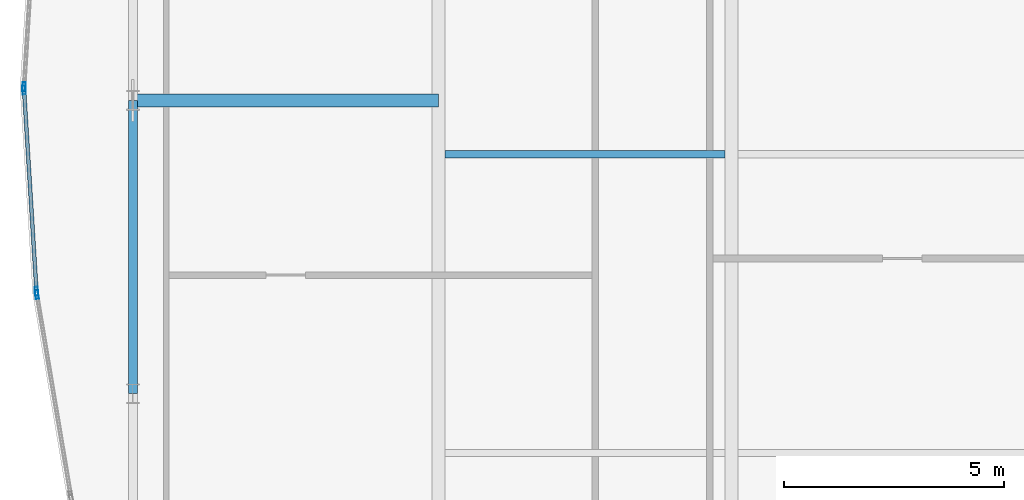
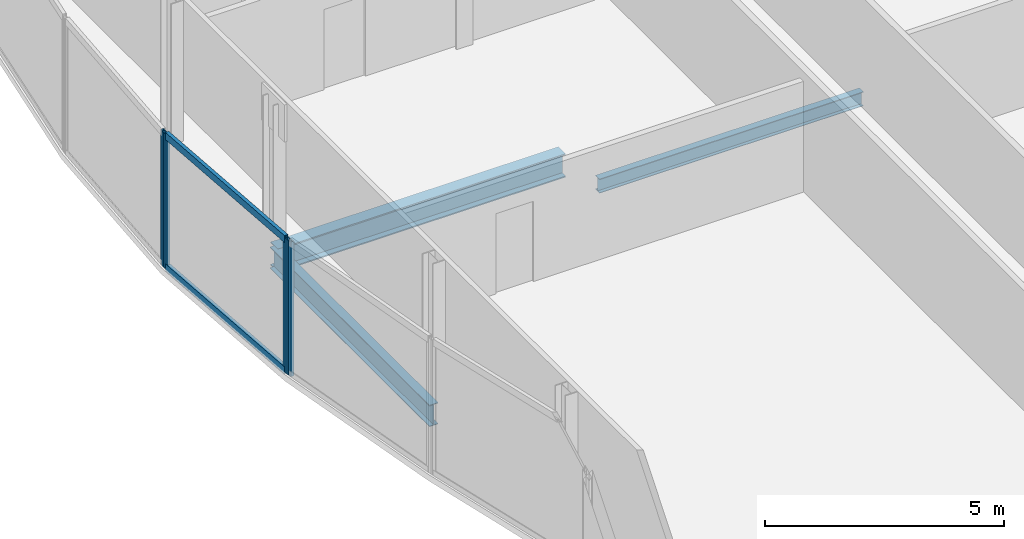
# One storey, part 11 of 29: 6 members, 3 beams, 3 elements without a shape of their own.
"""IFC4 building model written with IfcOpenShell, lengths in metres."""

import ifcopenshell
import ifcopenshell.guid

model = None  # the IFC model being written
_history = None  # IfcOwnerHistory: only IFC2X3 demands one
_inside = {}  # id of a spatial element -> (the spatial element, [elements in it])
_under = {}  # id of a project, library or spatial element -> (it, [spatial elements below it])
_declared = {}  # id of a project -> (the project, [libraries it declares])
_typed = {}  # id of a type object -> (the type object, [elements of that type])
_made_of = {}  # id of a material, layer set ... -> (it, [elements and type objects made of it])


def new_model(schema):
    """Start an empty IFC model of exactly this schema.

    Asked for "IFC4X3", IfcOpenShell would pick the latest addendum, in which some entities
    have other attributes; the version numbers below select the first issue.
    IFC2X3 requires an IfcOwnerHistory on every rooted entity: one is made here for all.
    """
    global model, _history
    if schema == "IFC4X3":
        model = ifcopenshell.file(schema_version=(4, 3, 0, 0))
    else:
        model = ifcopenshell.file(schema=schema)
    _inside.clear()
    _under.clear()
    _declared.clear()
    _typed.clear()
    _made_of.clear()
    _history = None
    if model.schema == "IFC2X3":
        org = make("IfcOrganization", Name="unknown")
        user = make(
            "IfcPersonAndOrganization",
            ThePerson=make("IfcPerson", FamilyName="unknown"),
            TheOrganization=org,
        )
        app = make(
            "IfcApplication",
            ApplicationDeveloper=org,
            Version="unknown",
            ApplicationFullName="unknown",
            ApplicationIdentifier="unknown",
        )
        _history = make(
            "IfcOwnerHistory",
            OwningUser=user,
            OwningApplication=app,
            ChangeAction="ADDED",
            CreationDate=0,
        )
    return model


def make(cls, **values):
    """One entity of the class cls with the attributes given. An attribute that is None is left unset."""
    return model.create_entity(
        cls, **{name: value for name, value in values.items() if value is not None}
    )


def rooted(cls, **values):
    """An entity with a GlobalId (a new one), such as an element, a storey or a relation."""
    return make(cls, GlobalId=ifcopenshell.guid.new(), OwnerHistory=_history, **values)


def si_unit(unit_type, name, prefix=None):
    """IfcSIUnit, for example si_unit("LENGTHUNIT", "METRE", prefix="MILLI")."""
    return make("IfcSIUnit", UnitType=unit_type, Prefix=prefix, Name=name)


def assignment(units):
    """IfcUnitAssignment: the units of a project."""
    return None if units is None else make("IfcUnitAssignment", Units=units)


def point(xyz):
    """IfcCartesianPoint."""
    return None if xyz is None else make("IfcCartesianPoint", Coordinates=xyz)


def direction(xyz):
    """IfcDirection."""
    return None if xyz is None else make("IfcDirection", DirectionRatios=xyz)


def frame(location, z_axis=None, x_axis=None):
    """IfcAxis2Placement3D, a coordinate frame: its origin and axes. An axis left out is left unset."""
    return make(
        "IfcAxis2Placement3D",
        Location=point(location),
        Axis=direction(z_axis),
        RefDirection=direction(x_axis),
    )


def frame_2d(location, x_axis=None):
    """IfcAxis2Placement2D, a coordinate frame in the plane: its origin and x axis."""
    return make(
        "IfcAxis2Placement2D", Location=point(location), RefDirection=direction(x_axis)
    )


def origin():
    """The frame at (0, 0, 0) with its axes left unset."""
    return frame((0.0, 0.0, 0.0))


def origin_2d():
    """The frame at (0, 0) in the plane with its x axis left unset."""
    return frame_2d((0.0, 0.0))


def place(relative_to, where):
    """IfcLocalPlacement: puts the frame where relative to a parent placement (None: the world)."""
    return make(
        "IfcLocalPlacement", PlacementRelTo=relative_to, RelativePlacement=where
    )


def context(
    kind, dimensions, precision=None, world=None, true_north=None, identifier=None
):
    """IfcGeometricRepresentationContext, for example the 3D "Model" context."""
    return make(
        "IfcGeometricRepresentationContext",
        ContextIdentifier=identifier,
        ContextType=kind,
        CoordinateSpaceDimension=dimensions,
        Precision=precision,
        WorldCoordinateSystem=world,
        TrueNorth=true_north,
    )


def subcontext(parent, identifier, kind, view, scale=None):
    """IfcGeometricRepresentationSubContext, for example "Body" below "Model"."""
    return make(
        "IfcGeometricRepresentationSubContext",
        ContextIdentifier=identifier,
        ContextType=kind,
        ParentContext=parent,
        TargetScale=scale,
        TargetView=view,
    )


def project(units=None, contexts=None):
    """IfcProject with its units and contexts."""
    return rooted(
        "IfcProject",
        Name="project",
        RepresentationContexts=contexts,
        UnitsInContext=assignment(units),
    )


def spatial(cls, under=None, at=None, **own):
    """A site, building, storey or space (cls), placed at a placement, below another one or the project."""
    s = rooted(cls, ObjectPlacement=at, **own)
    if under is not None:
        _under.setdefault(under.id(), (under, []))[1].append(s)
    return s


def profile(cls, at=None, kind="AREA", **sizes):
    """A parametric profile (cls). Its sizes go by their IFC names, for example OverallWidth=200.0."""
    return make(cls, ProfileType=kind, Position=at, **sizes)


def hollow_rectangle(**sizes):
    """IfcRectangleHollowProfileDef."""
    return profile("IfcRectangleHollowProfileDef", **sizes)


def i_section(**sizes):
    """IfcIShapeProfileDef."""
    return profile("IfcIShapeProfileDef", **sizes)


def extrude(swept, where, along, depth):
    """IfcExtrudedAreaSolid: the profile swept, set in the frame where, extruded along a direction by depth."""
    return make(
        "IfcExtrudedAreaSolid",
        SweptArea=swept,
        Position=where,
        ExtrudedDirection=direction(along),
        Depth=depth,
    )


def shape(context_of_items, identifier, shape_type, items):
    """IfcShapeRepresentation: the items that make up one representation, for example the "Body"."""
    return make(
        "IfcShapeRepresentation",
        ContextOfItems=context_of_items,
        RepresentationIdentifier=identifier,
        RepresentationType=shape_type,
        Items=items,
    )


def material(Name=None, Category=None):
    """IfcMaterial."""
    return make("IfcMaterial", Name=Name, Category=Category)


def material_profile(
    of_material, cross_section, Name=None, Category=None, Priority=None
):
    """IfcMaterialProfile: a cross section and its material."""
    return make(
        "IfcMaterialProfile",
        Name=Name,
        Material=of_material,
        Profile=cross_section,
        Priority=Priority,
        Category=Category,
    )


def profile_set(profiles, Name=None, composite=None):
    """IfcMaterialProfileSet."""
    return make(
        "IfcMaterialProfileSet",
        Name=Name,
        MaterialProfiles=profiles,
        CompositeProfile=composite,
    )


def made_of(thing, what):
    """Note that an element or type object is made of a material, layer set ...; save() writes the relation."""
    if what is not None:
        _made_of.setdefault(what.id(), (what, []))[1].append(thing)
    return thing


def type_object(cls, material=None, **own):
    """A type object (cls), such as IfcWallType, which elements share."""
    return made_of(rooted(cls, **own), material)


def element(
    cls,
    number,
    at=None,
    inside=None,
    cuts=None,
    type_object=None,
    material=None,
    context=None,
    identifier="Body",
    shape_type=None,
    held_by="IfcProductDefinitionShape",
    body=None,
    shapes=None,
    **own,
):
    """One element of the class cls, such as IfcWall. Its Tag is "e" and its number.

    at: its placement. inside: the storey or other place that contains it. cuts: it is an
    opening in that element (IfcRelVoidsElement). A single representation is given by context,
    identifier, shape_type and body (its items); several are given by shapes. held_by: the class
    of the entity that holds the representations. save() writes the other relations.
    """
    e = rooted(cls, Tag="e%d" % number, ObjectPlacement=at, **own)
    if body is not None:
        shapes = [shape(context, identifier, shape_type, body)]
    if shapes is not None:
        e.Representation = make(held_by, Representations=shapes)
    if inside is not None:
        _inside.setdefault(inside.id(), (inside, []))[1].append(e)
    if cuts is not None:
        rooted(
            "IfcRelVoidsElement", RelatingBuildingElement=cuts, RelatedOpeningElement=e
        )
    if type_object is not None:
        _typed.setdefault(type_object.id(), (type_object, []))[1].append(e)
    return made_of(e, material)


def aggregate(whole, parts):
    """IfcRelAggregates: a whole, such as a stair, and the parts it consists of."""
    return rooted("IfcRelAggregates", RelatingObject=whole, RelatedObjects=parts)


def save(model, path):
    """Write the relations noted so far, then the file.

    IfcRelAggregates (storeys below a building ...), IfcRelContainedInSpatialStructure (elements
    in a storey), IfcRelDefinesByType, IfcRelAssociatesMaterial and IfcRelDeclares: one each for
    every whole, place, type object, material and project.
    """
    for whole, parts in _under.values():
        aggregate(whole, parts)
    for where, things in _inside.values():
        rooted(
            "IfcRelContainedInSpatialStructure",
            RelatedElements=things,
            RelatingStructure=where,
        )
    for kind, things in _typed.values():
        rooted("IfcRelDefinesByType", RelatedObjects=things, RelatingType=kind)
    for what, things in _made_of.values():
        rooted("IfcRelAssociatesMaterial", RelatedObjects=things, RelatingMaterial=what)
    for by, libraries in _declared.values():
        rooted("IfcRelDeclares", RelatingContext=by, RelatedDefinitions=libraries)
    model.write(path)


model = new_model("IFC4")

# Units and contexts
model_context = context("Model", 3, precision=1e-05, world=origin(), true_north=direction((0.0, 1.0)))
body_context = subcontext(model_context, "Body", "Model", "MODEL_VIEW")
ifc_project = project(units=[si_unit("LENGTHUNIT", "METRE"), si_unit("AREAUNIT", "SQUARE_METRE"), si_unit("VOLUMEUNIT", "CUBIC_METRE"), si_unit("PLANEANGLEUNIT", "RADIAN"), si_unit("MASSUNIT", "GRAM", prefix="KILO")], contexts=[model_context])

# Site, building, storey
site_placement = place(None, origin())
site = spatial("IfcSite", under=ifc_project, at=site_placement, CompositionType="ELEMENT")
building_placement = place(site_placement, origin())
building = spatial("IfcBuilding", under=site, at=building_placement, Name="Khoronbel Lancet Exchange", CompositionType="ELEMENT")
storey_placement = place(building_placement, frame((0.0, 0.0, 321.800048828125)))
storey = spatial("IfcBuildingStorey", under=building, at=storey_placement, Name="L83", CompositionType="ELEMENT", Elevation=321.800048828125)

# Beams
ifc_material_1 = material(Name="Steel S355", Category="steel")
ifc_material_profile_1 = material_profile(ifc_material_1, i_section(OverallWidth=0.300048828125, OverallDepth=0.60009765625, WebThickness=0.015380859375, FlangeThickness=0.030029296875, at=origin_2d()), Name="HEB 600")
ifc_profile_set_1 = profile_set([ifc_material_profile_1], Name="Steel S355")
beam_type_1 = type_object("IfcBeamType", Name="BM-BG5", PredefinedType="BEAM", material=ifc_profile_set_1)
beam_1_placement = place(storey_placement, frame((11.27001953125, 31.425048828125, -0.4599609375), z_axis=(1.0, 0.0, 0.0), x_axis=(0.0, 1.0, 0.0)))
element("IfcBeam", 1, at=beam_1_placement, inside=storey, type_object=beam_type_1, Name="Level L83 west lens tie girder LG2W", PredefinedType="BEAM", context=body_context, shape_type="SweptSolid", body=[
    extrude(i_section(OverallWidth=0.300048828125, OverallDepth=0.60009765625, WebThickness=0.015380859375, FlangeThickness=0.030029296875, at=origin_2d()), origin(), (0.0, 0.0, 1.0), 6.955078125),
])
ifc_material_profile_2 = material_profile(ifc_material_1, i_section(OverallWidth=0.169921875, OverallDepth=0.360107421875, WebThickness=0.008056640625, FlangeThickness=0.0126953125, at=origin_2d()), Name="IPE 360")
ifc_profile_set_2 = profile_set([ifc_material_profile_2], Name="Steel S355")
beam_type_2 = type_object("IfcBeamType", Name="BM-BJ6", PredefinedType="JOIST", material=ifc_profile_set_2)
beam_2_placement = place(storey_placement, frame((18.375, 30.199951171875, -0.340087890625), z_axis=(1.0, 0.0, 0.0), x_axis=(0.0, 1.0, 0.0)))
element("IfcBeam", 2, at=beam_2_placement, inside=storey, type_object=beam_type_2, Name="Level L83 secondary composite joist J07", PredefinedType="JOIST", context=body_context, shape_type="SweptSolid", body=[
    extrude(i_section(OverallWidth=0.169921875, OverallDepth=0.360107421875, WebThickness=0.008056640625, FlangeThickness=0.0126953125, at=origin_2d()), origin(), (0.0, 0.0, 1.0), 6.375),
])
ifc_material_profile_3 = material_profile(ifc_material_1, i_section(OverallWidth=0.2099609375, OverallDepth=0.550048828125, WebThickness=0.010986328125, FlangeThickness=0.01708984375, at=origin_2d()), Name="IPE 550")
ifc_profile_set_3 = profile_set([ifc_material_profile_3], Name="Steel S355")
beam_type_3 = type_object("IfcBeamType", Name="BM-BSP3", PredefinedType="SPANDREL", material=ifc_profile_set_3)
beam_3_placement = place(storey_placement, frame((11.27001953125, 31.425048828125, -0.43505859375), z_axis=(0.0, -1.0, 0.0), x_axis=(1.0, 0.0, 0.0)))
element("IfcBeam", 3, at=beam_3_placement, inside=storey, type_object=beam_type_3, Name="Level L83 perimeter spandrel beam SP17", PredefinedType="SPANDREL", context=body_context, shape_type="SweptSolid", body=[
    extrude(i_section(OverallWidth=0.2099609375, OverallDepth=0.550048828125, WebThickness=0.010986328125, FlangeThickness=0.01708984375, at=origin_2d()), origin(), (0.0, 0.0, 1.0), 6.675048828125),
])

# Curtain wall, member
ifc_material_2 = material(Name="Low-E Solar Control Insulating Glass", Category="glass")
curtain_wall_type = type_object("IfcCurtainWallType", Name="CW-4", PredefinedType="NOTDEFINED", material=ifc_material_2)
curtain_wall_1_placement = place(storey_placement, origin())
curtain_wall_1 = element("IfcCurtainWall", 4, at=curtain_wall_1_placement, inside=storey, type_object=curtain_wall_type, Name="Unitised curtain wall CW-L83-E05", PredefinedType="NOTDEFINED")
ifc_material_3 = material(Name="Bronze-Anodised Aluminium 6063-T6", Category="aluminium")
ifc_material_profile_4 = material_profile(ifc_material_3, hollow_rectangle(XDim=0.074951171875, YDim=0.199951171875, WallThickness=0.0048828125, at=origin_2d()), Name="ALU MULLION 75x200")
ifc_profile_set_4 = profile_set([ifc_material_profile_4], Name="Bronze-Anodised Aluminium 6063-T6")
member_type_1 = type_object("IfcMemberType", Name="MEM-CWM2", PredefinedType="MULLION", material=ifc_profile_set_4)
member_1_placement = place(storey_placement, frame((9.083740234375, 27.006591796875, 0.0), z_axis=(0.0, 0.0, 1.0), x_axis=(-0.986074631142, -0.166303402909, 0.0)))
member_1 = element("IfcMember", 5, at=member_1_placement, type_object=member_type_1, Name="CW4 mullion 2", PredefinedType="MULLION", context=body_context, shape_type="SweptSolid", body=[
    extrude(hollow_rectangle(XDim=0.074951171875, YDim=0.199951171875, WallThickness=0.0048828125, at=origin_2d()), origin(), (0.0, 0.0, 1.0), 3.43994140625),
])
aggregate(curtain_wall_1, [member_1])

# Curtain wall, members
curtain_wall_2_placement = place(storey_placement, origin())
curtain_wall_2 = element("IfcCurtainWall", 6, at=curtain_wall_2_placement, inside=storey, type_object=curtain_wall_type, Name="Unitised curtain wall CW-L83-E06", PredefinedType="NOTDEFINED")
member_2_placement = place(storey_placement, frame((9.0751953125, 27.0810546875, 0.0), z_axis=(0.0, 0.0, 1.0), x_axis=(-0.99810197089, -0.061582917317, 0.0)))
member_2 = element("IfcMember", 7, at=member_2_placement, type_object=member_type_1, Name="CW4 mullion 1", PredefinedType="MULLION", context=body_context, shape_type="SweptSolid", body=[
    extrude(hollow_rectangle(XDim=0.074951171875, YDim=0.199951171875, WallThickness=0.0048828125, at=origin_2d()), origin(), (0.0, 0.0, 1.0), 3.43994140625),
])
member_3_placement = place(storey_placement, frame((8.79248046875, 31.66259765625, 0.0), z_axis=(0.0, 0.0, 1.0), x_axis=(-0.99810197089, -0.061582917317, 0.0)))
member_3 = element("IfcMember", 8, at=member_3_placement, type_object=member_type_1, Name="CW4 mullion 2", PredefinedType="MULLION", context=body_context, shape_type="SweptSolid", body=[
    extrude(hollow_rectangle(XDim=0.074951171875, YDim=0.199951171875, WallThickness=0.0048828125, at=origin_2d()), origin(), (0.0, 0.0, 1.0), 3.43994140625),
])

# Curtain wall, member
curtain_wall_3_placement = place(storey_placement, origin())
curtain_wall_3 = element("IfcCurtainWall", 9, at=curtain_wall_3_placement, inside=storey, type_object=curtain_wall_type, Name="Unitised curtain wall CW-L83-E07", PredefinedType="NOTDEFINED")
member_4_placement = place(storey_placement, frame((8.79248046875, 31.737548828125, 0.0), z_axis=(0.0, 0.0, 1.0), x_axis=(-0.99810197089, 0.061582917317, 0.0)))
member_4 = element("IfcMember", 10, at=member_4_placement, type_object=member_type_1, Name="CW4 mullion 1", PredefinedType="MULLION", context=body_context, shape_type="SweptSolid", body=[
    extrude(hollow_rectangle(XDim=0.074951171875, YDim=0.199951171875, WallThickness=0.0048828125, at=origin_2d()), origin(), (0.0, 0.0, 1.0), 3.43994140625),
])
aggregate(curtain_wall_3, [member_4])

# Member
ifc_material_profile_5 = material_profile(ifc_material_3, hollow_rectangle(XDim=0.0849609375, YDim=0.179931640625, WallThickness=0.0048828125, at=origin_2d()), Name="ALU TRANSOM 85x180")
ifc_profile_set_5 = profile_set([ifc_material_profile_5], Name="Bronze-Anodised Aluminium 6063-T6")
member_type_2 = type_object("IfcMemberType", Name="MEM-CWT1", PredefinedType="USERDEFINED", material=ifc_profile_set_5)
member_5_placement = place(storey_placement, frame((9.072998046875, 27.118408203125, 0.04248046875), z_axis=(-0.061583861241, 0.99810191265, 0.0), x_axis=(-0.99810191265, -0.061583861241, 0.0)))
member_5 = element("IfcMember", 11, at=member_5_placement, type_object=member_type_2, Name="CW4 transom 1.1", ObjectType="TRANSOM", PredefinedType="USERDEFINED", context=body_context, shape_type="SweptSolid", body=[
    extrude(hollow_rectangle(XDim=0.0849609375, YDim=0.179931640625, WallThickness=0.0048828125, at=origin_2d()), origin(), (0.0, 0.0, 1.0), 4.515380859375),
])

member_6_placement = place(storey_placement, frame((9.072998046875, 27.118408203125, 3.3974609375), z_axis=(-0.061583861241, 0.99810191265, 0.0), x_axis=(-0.99810191265, -0.061583861241, 0.0)))
member_6 = element("IfcMember", 12, at=member_6_placement, type_object=member_type_2, Name="CW4 transom 1.2", ObjectType="TRANSOM", PredefinedType="USERDEFINED", context=body_context, shape_type="SweptSolid", body=[
    extrude(hollow_rectangle(XDim=0.0849609375, YDim=0.179931640625, WallThickness=0.0048828125, at=origin_2d()), origin(), (0.0, 0.0, 1.0), 4.515380859375),
])

aggregate(curtain_wall_2, [member_2, member_3, member_5, member_6])

save(model, "model.ifc")
